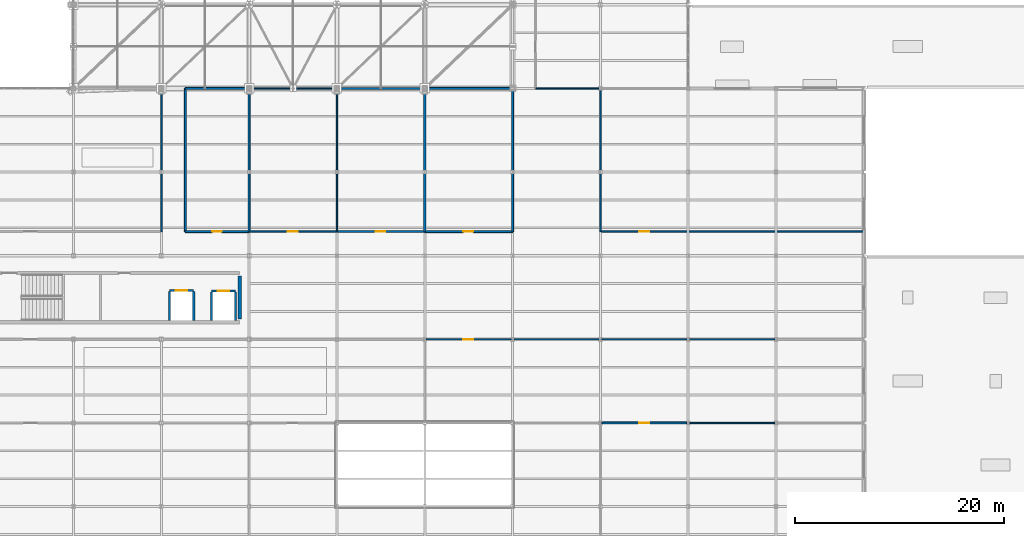
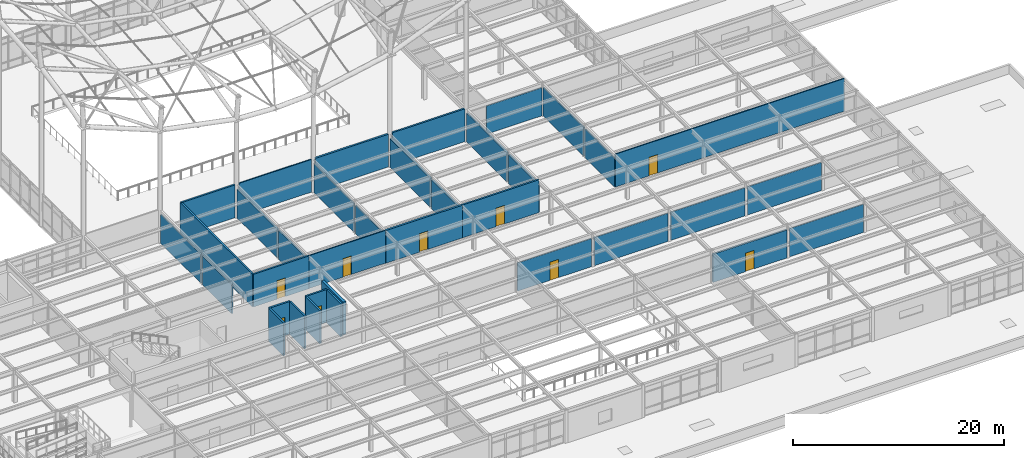
# One storey, part 72 of 138: 36 walls, 9 doors, 9 openings.
"""IFC4 building model written with IfcOpenShell, lengths in metres."""

import ifcopenshell
import ifcopenshell.guid

model = None  # the IFC model being written
_history = None  # IfcOwnerHistory: only IFC2X3 demands one
_inside = {}  # id of a spatial element -> (the spatial element, [elements in it])
_under = {}  # id of a project, library or spatial element -> (it, [spatial elements below it])
_declared = {}  # id of a project -> (the project, [libraries it declares])
_typed = {}  # id of a type object -> (the type object, [elements of that type])
_made_of = {}  # id of a material, layer set ... -> (it, [elements and type objects made of it])


def new_model(schema):
    """Start an empty IFC model of exactly this schema.

    Asked for "IFC4X3", IfcOpenShell would pick the latest addendum, in which some entities
    have other attributes; the version numbers below select the first issue.
    IFC2X3 requires an IfcOwnerHistory on every rooted entity: one is made here for all.
    """
    global model, _history
    if schema == "IFC4X3":
        model = ifcopenshell.file(schema_version=(4, 3, 0, 0))
    else:
        model = ifcopenshell.file(schema=schema)
    _inside.clear()
    _under.clear()
    _declared.clear()
    _typed.clear()
    _made_of.clear()
    _history = None
    if model.schema == "IFC2X3":
        org = make("IfcOrganization", Name="unknown")
        user = make(
            "IfcPersonAndOrganization",
            ThePerson=make("IfcPerson", FamilyName="unknown"),
            TheOrganization=org,
        )
        app = make(
            "IfcApplication",
            ApplicationDeveloper=org,
            Version="unknown",
            ApplicationFullName="unknown",
            ApplicationIdentifier="unknown",
        )
        _history = make(
            "IfcOwnerHistory",
            OwningUser=user,
            OwningApplication=app,
            ChangeAction="ADDED",
            CreationDate=0,
        )
    return model


def make(cls, **values):
    """One entity of the class cls with the attributes given. An attribute that is None is left unset."""
    return model.create_entity(
        cls, **{name: value for name, value in values.items() if value is not None}
    )


def rooted(cls, **values):
    """An entity with a GlobalId (a new one), such as an element, a storey or a relation."""
    return make(cls, GlobalId=ifcopenshell.guid.new(), OwnerHistory=_history, **values)


def si_unit(unit_type, name, prefix=None):
    """IfcSIUnit, for example si_unit("LENGTHUNIT", "METRE", prefix="MILLI")."""
    return make("IfcSIUnit", UnitType=unit_type, Prefix=prefix, Name=name)


def assignment(units):
    """IfcUnitAssignment: the units of a project."""
    return None if units is None else make("IfcUnitAssignment", Units=units)


def point(xyz):
    """IfcCartesianPoint."""
    return None if xyz is None else make("IfcCartesianPoint", Coordinates=xyz)


def direction(xyz):
    """IfcDirection."""
    return None if xyz is None else make("IfcDirection", DirectionRatios=xyz)


def frame(location, z_axis=None, x_axis=None):
    """IfcAxis2Placement3D, a coordinate frame: its origin and axes. An axis left out is left unset."""
    return make(
        "IfcAxis2Placement3D",
        Location=point(location),
        Axis=direction(z_axis),
        RefDirection=direction(x_axis),
    )


def frame_2d(location, x_axis=None):
    """IfcAxis2Placement2D, a coordinate frame in the plane: its origin and x axis."""
    return make(
        "IfcAxis2Placement2D", Location=point(location), RefDirection=direction(x_axis)
    )


def origin():
    """The frame at (0, 0, 0) with its axes left unset."""
    return frame((0.0, 0.0, 0.0))


def place(relative_to, where):
    """IfcLocalPlacement: puts the frame where relative to a parent placement (None: the world)."""
    return make(
        "IfcLocalPlacement", PlacementRelTo=relative_to, RelativePlacement=where
    )


def context(
    kind, dimensions, precision=None, world=None, true_north=None, identifier=None
):
    """IfcGeometricRepresentationContext, for example the 3D "Model" context."""
    return make(
        "IfcGeometricRepresentationContext",
        ContextIdentifier=identifier,
        ContextType=kind,
        CoordinateSpaceDimension=dimensions,
        Precision=precision,
        WorldCoordinateSystem=world,
        TrueNorth=true_north,
    )


def subcontext(parent, identifier, kind, view, scale=None):
    """IfcGeometricRepresentationSubContext, for example "Body" below "Model"."""
    return make(
        "IfcGeometricRepresentationSubContext",
        ContextIdentifier=identifier,
        ContextType=kind,
        ParentContext=parent,
        TargetScale=scale,
        TargetView=view,
    )


def project(units=None, contexts=None):
    """IfcProject with its units and contexts."""
    return rooted(
        "IfcProject",
        Name="project",
        RepresentationContexts=contexts,
        UnitsInContext=assignment(units),
    )


def spatial(cls, under=None, at=None, **own):
    """A site, building, storey or space (cls), placed at a placement, below another one or the project."""
    s = rooted(cls, ObjectPlacement=at, **own)
    if under is not None:
        _under.setdefault(under.id(), (under, []))[1].append(s)
    return s


def profile(cls, at=None, kind="AREA", **sizes):
    """A parametric profile (cls). Its sizes go by their IFC names, for example OverallWidth=200.0."""
    return make(cls, ProfileType=kind, Position=at, **sizes)


def rectangle(**sizes):
    """IfcRectangleProfileDef."""
    return profile("IfcRectangleProfileDef", **sizes)


def extrude(swept, where, along, depth):
    """IfcExtrudedAreaSolid: the profile swept, set in the frame where, extruded along a direction by depth."""
    return make(
        "IfcExtrudedAreaSolid",
        SweptArea=swept,
        Position=where,
        ExtrudedDirection=direction(along),
        Depth=depth,
    )


def shape(context_of_items, identifier, shape_type, items):
    """IfcShapeRepresentation: the items that make up one representation, for example the "Body"."""
    return make(
        "IfcShapeRepresentation",
        ContextOfItems=context_of_items,
        RepresentationIdentifier=identifier,
        RepresentationType=shape_type,
        Items=items,
    )


def material(Name=None, Category=None):
    """IfcMaterial."""
    return make("IfcMaterial", Name=Name, Category=Category)


def layer(
    of_material, thickness, ventilated=None, Name=None, Category=None, Priority=None
):
    """IfcMaterialLayer: one layer of a wall or slab, of a material (None: an air gap)."""
    return make(
        "IfcMaterialLayer",
        Material=of_material,
        LayerThickness=thickness,
        IsVentilated=ventilated,
        Name=Name,
        Category=Category,
        Priority=Priority,
    )


def layer_set(layers, Name=None):
    """IfcMaterialLayerSet."""
    return make("IfcMaterialLayerSet", MaterialLayers=layers, LayerSetName=Name)


def made_of(thing, what):
    """Note that an element or type object is made of a material, layer set ...; save() writes the relation."""
    if what is not None:
        _made_of.setdefault(what.id(), (what, []))[1].append(thing)
    return thing


def type_object(cls, material=None, **own):
    """A type object (cls), such as IfcWallType, which elements share."""
    return made_of(rooted(cls, **own), material)


def element(
    cls,
    number,
    at=None,
    inside=None,
    cuts=None,
    type_object=None,
    material=None,
    context=None,
    identifier="Body",
    shape_type=None,
    held_by="IfcProductDefinitionShape",
    body=None,
    shapes=None,
    **own,
):
    """One element of the class cls, such as IfcWall. Its Tag is "e" and its number.

    at: its placement. inside: the storey or other place that contains it. cuts: it is an
    opening in that element (IfcRelVoidsElement). A single representation is given by context,
    identifier, shape_type and body (its items); several are given by shapes. held_by: the class
    of the entity that holds the representations. save() writes the other relations.
    """
    e = rooted(cls, Tag="e%d" % number, ObjectPlacement=at, **own)
    if body is not None:
        shapes = [shape(context, identifier, shape_type, body)]
    if shapes is not None:
        e.Representation = make(held_by, Representations=shapes)
    if inside is not None:
        _inside.setdefault(inside.id(), (inside, []))[1].append(e)
    if cuts is not None:
        rooted(
            "IfcRelVoidsElement", RelatingBuildingElement=cuts, RelatedOpeningElement=e
        )
    if type_object is not None:
        _typed.setdefault(type_object.id(), (type_object, []))[1].append(e)
    return made_of(e, material)


def fill(opening, filler):
    """IfcRelFillsElement: the door or window that sits in an opening."""
    return rooted(
        "IfcRelFillsElement",
        RelatingOpeningElement=opening,
        RelatedBuildingElement=filler,
    )


def aggregate(whole, parts):
    """IfcRelAggregates: a whole, such as a stair, and the parts it consists of."""
    return rooted("IfcRelAggregates", RelatingObject=whole, RelatedObjects=parts)


def save(model, path):
    """Write the relations noted so far, then the file.

    IfcRelAggregates (storeys below a building ...), IfcRelContainedInSpatialStructure (elements
    in a storey), IfcRelDefinesByType, IfcRelAssociatesMaterial and IfcRelDeclares: one each for
    every whole, place, type object, material and project.
    """
    for whole, parts in _under.values():
        aggregate(whole, parts)
    for where, things in _inside.values():
        rooted(
            "IfcRelContainedInSpatialStructure",
            RelatedElements=things,
            RelatingStructure=where,
        )
    for kind, things in _typed.values():
        rooted("IfcRelDefinesByType", RelatedObjects=things, RelatingType=kind)
    for what, things in _made_of.values():
        rooted("IfcRelAssociatesMaterial", RelatedObjects=things, RelatingMaterial=what)
    for by, libraries in _declared.values():
        rooted("IfcRelDeclares", RelatingContext=by, RelatedDefinitions=libraries)
    model.write(path)


model = new_model("IFC4")

# Units and contexts
model_context = context("Model", 3, precision=1e-05, world=origin(), true_north=direction((0.0, 1.0)))
body_context = subcontext(model_context, "Body", "Model", "MODEL_VIEW")
ifc_project = project(units=[si_unit("LENGTHUNIT", "METRE"), si_unit("AREAUNIT", "SQUARE_METRE"), si_unit("VOLUMEUNIT", "CUBIC_METRE"), si_unit("PLANEANGLEUNIT", "RADIAN"), si_unit("MASSUNIT", "GRAM", prefix="KILO")], contexts=[model_context])

# Site, building, storey
site_placement = place(None, origin())
site = spatial("IfcSite", under=ifc_project, at=site_placement, CompositionType="ELEMENT")
building_placement = place(site_placement, origin())
building = spatial("IfcBuilding", under=site, at=building_placement, Name="Kranzveld Transit Interchange", CompositionType="ELEMENT")
storey_placement = place(building_placement, frame((0.0, 0.0, 5.43994140625)))
storey = spatial("IfcBuildingStorey", under=building, at=storey_placement, Name="L01", CompositionType="ELEMENT", Elevation=5.43994140625)

# Walls
ifc_material_1 = material(Name="Clay masonry unit wall, 20 MPa", Category="masonry")
ifc_layer_1 = layer(ifc_material_1, 0.139892578125)
ifc_layer_set_1 = layer_set([ifc_layer_1], Name="Clay masonry unit wall, 20 MPa")
wall_type_1 = type_object("IfcWallType", Name="Acoustic Stud Partition 140", PredefinedType="PARTITIONING", material=ifc_layer_set_1)
wall_1_placement = place(storey_placement, frame((67.199951171875, 42.300048828125, 0.0), z_axis=(0.0, 0.0, 1.0), x_axis=(0.0, 1.0, 0.0)))
element("IfcWall", 1, at=wall_1_placement, inside=storey, type_object=wall_type_1, Name="L01 Partition IW-L01-L01V1W-E-104-0", PredefinedType="PARTITIONING", context=body_context, shape_type="SweptSolid", body=[
    extrude(rectangle(XDim=5.549560546875, YDim=0.139892578125, at=frame_2d((2.77490234375, 0.0))), origin(), (0.0, 0.0, 1.0), 3.336669921875),
])
wall_2_placement = place(storey_placement, frame((67.199951171875, 48.150390625, 0.0), z_axis=(0.0, 0.0, 1.0), x_axis=(0.0, 1.0, 0.0)))
element("IfcWall", 2, at=wall_2_placement, inside=storey, type_object=wall_type_1, Name="L01 Partition IW-L01-L01V1W-E-104-1", PredefinedType="PARTITIONING", context=body_context, shape_type="SweptSolid", body=[
    extrude(rectangle(XDim=7.631103515625, YDim=0.139892578125, at=frame_2d((3.8154296875, 0.0))), origin(), (0.0, 0.0, 1.0), 3.336669921875),
])
ifc_material_2 = material(Name="Concrete C40/50", Category="concrete")
ifc_layer_2 = layer(ifc_material_2, 0.300048828125)
ifc_layer_set_2 = layer_set([ifc_layer_2], Name="Concrete C40/50")
wall_type_2 = type_object("IfcWallType", Name="Core Shear Wall RC 300 C40/50", PredefinedType="SHEAR", material=ifc_layer_set_2)
wall_3_placement = place(storey_placement, frame((74.699951171875, 33.93994140625, 0.0), z_axis=(0.0, 0.0, 1.0), x_axis=(0.0, 1.0, 0.0)))
element("IfcWall", 3, at=wall_3_placement, inside=storey, type_object=wall_type_2, Name="L01 Metro East & Bus Mezzanine Core C6 Shear Wall E", PredefinedType="SHEAR", context=body_context, shape_type="SweptSolid", body=[
    extrude(rectangle(XDim=4.1201171875, YDim=0.300048828125, at=frame_2d((2.06005859375, 0.0))), origin(), (0.0, 0.0, 1.0), 3.800048828125),
])

# Wall, opening, door
ifc_material_3 = material(Name="Clay masonry unit wall, 20 MPa", Category="masonry")
ifc_layer_3 = layer(ifc_material_3, 0.125)
ifc_layer_set_3 = layer_set([ifc_layer_3], Name="Clay masonry unit wall, 20 MPa")
wall_type_3 = type_object("IfcWallType", Name="Internal Blockwork Partition 125", PredefinedType="PARTITIONING", material=ifc_layer_set_3)
wall_4_placement = place(storey_placement, frame((75.60009765625, 42.300048828125, 0.0), z_axis=(0.0, 0.0, 1.0), x_axis=(1.0, 0.0, 0.0)))
wall_4 = element("IfcWall", 4, at=wall_4_placement, inside=storey, type_object=wall_type_3, Name="L01 Partition IW-L01-L01V1M-FRT-137-0", PredefinedType="PARTITIONING", context=body_context, shape_type="SweptSolid", body=[
    extrude(rectangle(XDim=8.39990234375, YDim=0.125, at=frame_2d((4.199951171875, 0.0))), origin(), (0.0, 0.0, 1.0), 3.800048828125),
])
opening_1_placement = place(wall_4_placement, frame((3.699951171875, 0.0, 0.0), z_axis=(0.0, 0.0, 1.0), x_axis=(1.0, 0.0, 0.0)))
opening_1 = element("IfcOpeningElement", 5, at=opening_1_placement, cuts=wall_4, Name="Opening D-137", PredefinedType="OPENING", context=body_context, shape_type="SweptSolid", body=[
    extrude(rectangle(XDim=0.949951171875, YDim=2.14990234375, at=frame_2d((0.47509765625, 1.074951171875))), frame((0.0, 0.072509765625, 0.0), z_axis=(0.0, -1.0, 0.0), x_axis=(1.0, 0.0, 0.0)), (0.0, 0.0, 1.0), 0.14501953125),
])
ifc_material_4 = material(Name="Bronze-anodised thermally broken aluminium", Category="aluminium")
door_type_1 = type_object("IfcDoorType", Name="Internal Office Door 950x2150", OperationType="NOTDEFINED", PredefinedType="DOOR", material=ifc_material_4)
door_1_placement = place(opening_1_placement, origin())
door_1 = element("IfcDoor", 6, at=door_1_placement, inside=storey, type_object=door_type_1, Name="L01 Interior Door D-137", OperationType="SINGLE_SWING_LEFT", OverallHeight=2.14990234375, OverallWidth=0.949951171875, PredefinedType="DOOR", context=body_context, shape_type="SweptSolid", body=[
    extrude(rectangle(XDim=0.949951171875, YDim=2.14990234375, at=frame_2d((0.47509765625, 1.074951171875))), frame((0.0, 0.02490234375, 0.0), z_axis=(0.0, -1.0, 0.0), x_axis=(1.0, 0.0, 0.0)), (0.0, 0.0, 1.0), 0.050048828125),
])
fill(opening_1, door_1)

wall_5_placement = place(storey_placement, frame((109.199951171875, 42.300048828125, 0.0), z_axis=(0.0, 0.0, 1.0), x_axis=(1.0, 0.0, 0.0)))
wall_5 = element("IfcWall", 7, at=wall_5_placement, inside=storey, type_object=wall_type_3, Name="L01 Partition IW-L01-L01V1E-FRT-107-0", PredefinedType="PARTITIONING", context=body_context, shape_type="SweptSolid", body=[
    extrude(rectangle(XDim=25.16015625, YDim=0.125, at=frame_2d((12.580078125, 0.0))), origin(), (0.0, 0.0, 1.0), 3.800048828125),
])
opening_2_placement = place(wall_5_placement, frame((3.699951171875, 0.0, 0.0), z_axis=(0.0, 0.0, 1.0), x_axis=(1.0, 0.0, 0.0)))
opening_2 = element("IfcOpeningElement", 8, at=opening_2_placement, cuts=wall_5, Name="Opening D-107", PredefinedType="OPENING", context=body_context, shape_type="SweptSolid", body=[
    extrude(rectangle(XDim=0.949951171875, YDim=2.14990234375, at=frame_2d((0.47509765625, 1.074951171875))), frame((0.0, 0.072509765625, 0.0), z_axis=(0.0, -1.0, 0.0), x_axis=(1.0, 0.0, 0.0)), (0.0, 0.0, 1.0), 0.14501953125),
])
door_2_placement = place(opening_2_placement, origin())
door_2 = element("IfcDoor", 9, at=door_2_placement, inside=storey, type_object=door_type_1, Name="L01 Interior Door D-107", OperationType="SINGLE_SWING_LEFT", OverallHeight=2.14990234375, OverallWidth=0.949951171875, PredefinedType="DOOR", context=body_context, shape_type="SweptSolid", body=[
    extrude(rectangle(XDim=0.949951171875, YDim=2.14990234375, at=frame_2d((0.47509765625, 1.074951171875))), frame((0.0, 0.02490234375, 0.0), z_axis=(0.0, -1.0, 0.0), x_axis=(1.0, 0.0, 0.0)), (0.0, 0.0, 1.0), 0.050048828125),
])
fill(opening_2, door_2)

# Walls
wall_6_placement = place(storey_placement, frame((75.818603515625, 56.0, 0.0), z_axis=(0.0, 0.0, 1.0), x_axis=(1.0, 0.0, 0.0)))
element("IfcWall", 10, at=wall_6_placement, inside=storey, type_object=wall_type_3, Name="L01 Partition IW-L01-L01V1M-BCK-137-0", PredefinedType="PARTITIONING", context=body_context, shape_type="SweptSolid", body=[
    extrude(rectangle(XDim=7.962890625, YDim=0.125, at=frame_2d((3.9814453125, 0.0))), origin(), (0.0, 0.0, 1.0), 3.800048828125),
])
wall_7_placement = place(storey_placement, frame((84.0, 42.300048828125, 0.0), z_axis=(0.0, 0.0, 1.0), x_axis=(0.0, 1.0, 0.0)))
element("IfcWall", 11, at=wall_7_placement, inside=storey, type_object=wall_type_3, Name="L01 Partition IW-L01-L01V1M-E-137-0", PredefinedType="PARTITIONING", context=body_context, shape_type="SweptSolid", body=[
    extrude(rectangle(XDim=5.549560546875, YDim=0.125, at=frame_2d((2.77490234375, 0.0))), origin(), (0.0, 0.0, 1.0), 3.336669921875),
])
wall_8_placement = place(storey_placement, frame((84.0, 48.150390625, 0.0), z_axis=(0.0, 0.0, 1.0), x_axis=(0.0, 1.0, 0.0)))
element("IfcWall", 12, at=wall_8_placement, inside=storey, type_object=wall_type_3, Name="L01 Partition IW-L01-L01V1M-E-137-1", PredefinedType="PARTITIONING", context=body_context, shape_type="SweptSolid", body=[
    extrude(rectangle(XDim=7.631103515625, YDim=0.125, at=frame_2d((3.8154296875, 0.0))), origin(), (0.0, 0.0, 1.0), 3.336669921875),
])
wall_9_placement = place(storey_placement, frame((109.199951171875, 42.300048828125, 0.0), z_axis=(0.0, 0.0, 1.0), x_axis=(0.0, 1.0, 0.0)))
element("IfcWall", 13, at=wall_9_placement, inside=storey, type_object=wall_type_3, Name="L01 Partition IW-L01-L01V1E-W-107-0", PredefinedType="PARTITIONING", context=body_context, shape_type="SweptSolid", body=[
    extrude(rectangle(XDim=5.549560546875, YDim=0.125, at=frame_2d((2.77490234375, 0.0))), origin(), (0.0, 0.0, 1.0), 3.336669921875),
])
wall_10_placement = place(storey_placement, frame((109.199951171875, 48.150390625, 0.0), z_axis=(0.0, 0.0, 1.0), x_axis=(0.0, 1.0, 0.0)))
element("IfcWall", 14, at=wall_10_placement, inside=storey, type_object=wall_type_3, Name="L01 Partition IW-L01-L01V1E-W-107-1", PredefinedType="PARTITIONING", context=body_context, shape_type="SweptSolid", body=[
    extrude(rectangle(XDim=7.69921875, YDim=0.125, at=frame_2d((3.849609375, 0.0))), origin(), (0.0, 0.0, 1.0), 3.336669921875),
])
wall_11_placement = place(storey_placement, frame((103.0, 56.0, 0.0), z_axis=(0.0, 0.0, 1.0), x_axis=(1.0, 0.0, 0.0)))
element("IfcWall", 15, at=wall_11_placement, inside=storey, type_object=wall_type_3, Name="L01 Partition IW-L01-L01V4W-S-141-0", PredefinedType="PARTITIONING", context=body_context, shape_type="SweptSolid", body=[
    extrude(rectangle(XDim=6.055419921875, YDim=0.125, at=frame_2d((3.02783203125, 0.0))), origin(), (0.0, 0.0, 1.0), 3.260498046875),
])

# Wall, opening, door
ifc_material_5 = material(Name="Clay masonry unit wall, 20 MPa", Category="masonry")
ifc_layer_4 = layer(ifc_material_5, 0.114990234375)
ifc_layer_set_4 = layer_set([ifc_layer_4], Name="Clay masonry unit wall, 20 MPa")
wall_type_4 = type_object("IfcWallType", Name="Internal Masonry Partition 115", PredefinedType="PARTITIONING", material=ifc_layer_set_4)
wall_12_placement = place(storey_placement, frame((92.544677734375, 32.0, 0.0), z_axis=(0.0, 0.0, 1.0), x_axis=(1.0, 0.0, 0.0)))
wall_12 = element("IfcWall", 16, at=wall_12_placement, inside=storey, type_object=wall_type_4, Name="L01 Partition IW-L01-L01V2N-FRT-132-0", PredefinedType="PARTITIONING", context=body_context, shape_type="SweptSolid", body=[
    extrude(rectangle(XDim=8.11083984375, YDim=0.114990234375, at=frame_2d((4.055419921875, 0.0))), origin(), (0.0, 0.0, 1.0), 3.260498046875),
])
opening_3_placement = place(wall_12_placement, frame((4.475341796875, 0.0, 0.0), z_axis=(0.0, 0.0, 1.0), x_axis=(-1.0, 0.0, 0.0)))
opening_3 = element("IfcOpeningElement", 17, at=opening_3_placement, cuts=wall_12, Name="Opening D-132", PredefinedType="OPENING", context=body_context, shape_type="SweptSolid", body=[
    extrude(rectangle(XDim=0.919921875, YDim=2.1201171875, at=frame_2d((0.4599609375, 1.06005859375))), frame((0.0, 0.0673828125, 0.0), z_axis=(0.0, -1.0, 0.0), x_axis=(1.0, 0.0, 0.0)), (0.0, 0.0, 1.0), 0.135009765625),
])
ifc_material_6 = material(Name="Bronze-anodised thermally broken aluminium", Category="aluminium")
door_type_2 = type_object("IfcDoorType", Name="Consulting Room Door 920x2120", OperationType="NOTDEFINED", PredefinedType="DOOR", material=ifc_material_6)
door_3_placement = place(opening_3_placement, origin())
door_3 = element("IfcDoor", 18, at=door_3_placement, inside=storey, type_object=door_type_2, Name="L01 Interior Door D-132", OperationType="SINGLE_SWING_RIGHT", OverallHeight=2.1201171875, OverallWidth=0.919921875, PredefinedType="DOOR", context=body_context, shape_type="SweptSolid", body=[
    extrude(rectangle(XDim=0.919921875, YDim=2.1201171875, at=frame_2d((0.4599609375, 1.06005859375))), frame((0.0, 0.02490234375, 0.0), z_axis=(0.0, -1.0, 0.0), x_axis=(1.0, 0.0, 0.0)), (0.0, 0.0, 1.0), 0.050048828125),
])
fill(opening_3, door_3)

# Walls
for number, where, z_axis, x_axis, name in (
    (19, (100.944580078125, 32.0, 0.0), (0.0, 0.0, 1.0), (1.0, 0.0, 0.0), "L01 Partition IW-L01-L01V2N-FRT-132-1"),
    (20, (109.344482421875, 32.0, 0.0), (0.0, 0.0, 1.0), (1.0, 0.0, 0.0), "L01 Partition IW-L01-L01V2N-FRT-132-2"),
    (21, (117.74462890625, 32.0, 0.0), (0.0, 0.0, 1.0), (1.0, 0.0, 0.0), "L01 Partition IW-L01-L01V2N-FRT-132-3"),
    (22, (117.74462890625, 24.0, 0.0), (0.0, 0.0, 1.0), (1.0, 0.0, 0.0), "L01 Partition IW-L01-L01V2N-BCK-132-3"),
):
    element("IfcWall", number, at=place(storey_placement, frame(where, z_axis=z_axis, x_axis=x_axis)), inside=storey, type_object=wall_type_4, Name=name, PredefinedType="PARTITIONING", context=body_context, shape_type="SweptSolid", body=[
        extrude(rectangle(XDim=8.11083984375, YDim=0.114990234375, at=frame_2d((4.055419921875, 0.0))), origin(), (0.0, 0.0, 1.0), 3.260498046875),
    ])

# Wall, opening, door
ifc_material_7 = material(Name="Concrete C40/50", Category="concrete")
ifc_layer_5 = layer(ifc_material_7, 0.199951171875)
ifc_layer_set_5 = layer_set([ifc_layer_5], Name="Concrete C40/50")
wall_type_5 = type_object("IfcWallType", Name="Lift Shaft Enclosure Wall RC 200 EI120", PredefinedType="SHEAR", material=ifc_layer_set_5)
wall_13_placement = place(storey_placement, frame((68.0, 36.68994140625, 0.0), z_axis=(0.0, 0.0, 1.0), x_axis=(1.0, 0.0, 0.0)))
wall_13 = element("IfcWall", 23, at=wall_13_placement, inside=storey, type_object=wall_type_5, Name="L01 LF-M2 Shaft Front Wall", PredefinedType="SHEAR", context=body_context, shape_type="SweptSolid", body=[
    extrude(rectangle(XDim=2.300048828125, YDim=0.199951171875, at=frame_2d((1.14990234375, 0.0))), origin(), (0.0, 0.0, 1.0), 3.800048828125),
])
opening_4_placement = place(wall_13_placement, frame((0.60009765625, 0.0, 0.0), z_axis=(0.0, 0.0, 1.0), x_axis=(1.0, 0.0, 0.0)))
opening_4 = element("IfcOpeningElement", 24, at=opening_4_placement, cuts=wall_13, Name="Opening LD-LF-M2-L01", PredefinedType="OPENING", context=body_context, shape_type="SweptSolid", body=[
    extrude(rectangle(XDim=1.10009765625, YDim=2.14990234375, at=frame_2d((0.550048828125, 1.074951171875))), frame((0.0, 0.10986328125, 0.0), z_axis=(0.0, -1.0, 0.0), x_axis=(1.0, 0.0, 0.0)), (0.0, 0.0, 1.0), 0.219970703125),
])
ifc_material_8 = material(Name="Steel S355JR", Category="steel")
door_type_3 = type_object("IfcDoorType", Name="Lift Landing Sliding Door 1100x2150 FD120S", OperationType="NOTDEFINED", PredefinedType="DOOR", material=ifc_material_8)
door_4_placement = place(opening_4_placement, origin())
door_4 = element("IfcDoor", 25, at=door_4_placement, inside=storey, type_object=door_type_3, Name="L01 LF-M2 Sliding Landing Door", OperationType="DOUBLE_DOOR_SLIDING", OverallHeight=2.14990234375, OverallWidth=1.10009765625, PredefinedType="DOOR", context=body_context, shape_type="SweptSolid", body=[
    extrude(rectangle(XDim=1.10009765625, YDim=2.14990234375, at=frame_2d((0.550048828125, 1.074951171875))), frame((0.0, 0.02490234375, 0.0), z_axis=(0.0, -1.0, 0.0), x_axis=(1.0, 0.0, 0.0)), (0.0, 0.0, 1.0), 0.050048828125),
])
fill(opening_4, door_4)

# Walls
for number, where, z_axis, x_axis, name in (
    (26, (68.0, 33.7900390625, 0.0), (0.0, 0.0, 1.0), (0.0, 1.0, 0.0), "L01 LF-M2 Shaft Side Wall W"),
    (27, (70.300048828125, 33.7900390625, 0.0), (0.0, 0.0, 1.0), (0.0, 1.0, 0.0), "L01 LF-M2 Shaft Side Wall E"),
):
    element("IfcWall", number, at=place(storey_placement, frame(where, z_axis=z_axis, x_axis=x_axis)), inside=storey, type_object=wall_type_5, Name=name, PredefinedType="SHEAR", context=body_context, shape_type="SweptSolid", body=[
        extrude(rectangle(XDim=2.800048828125, YDim=0.199951171875, at=frame_2d((1.39990234375, 0.0))), origin(), (0.0, 0.0, 1.0), 3.800048828125),
    ])

# Wall, opening, door
wall_14_placement = place(storey_placement, frame((72.0, 36.639892578125, 0.0), z_axis=(0.0, 0.0, 1.0), x_axis=(1.0, 0.0, 0.0)))
wall_14 = element("IfcWall", 28, at=wall_14_placement, inside=storey, type_object=wall_type_5, Name="L01 LF-B1 Shaft Front Wall", PredefinedType="SHEAR", context=body_context, shape_type="SweptSolid", body=[
    extrude(rectangle(XDim=2.300048828125, YDim=0.199951171875, at=frame_2d((1.14990234375, 0.0))), origin(), (0.0, 0.0, 1.0), 3.800048828125),
])
opening_5_placement = place(wall_14_placement, frame((0.60009765625, 0.0, 0.0), z_axis=(0.0, 0.0, 1.0), x_axis=(1.0, 0.0, 0.0)))
opening_5 = element("IfcOpeningElement", 29, at=opening_5_placement, cuts=wall_14, Name="Opening LD-LF-B1-L01", PredefinedType="OPENING", context=body_context, shape_type="SweptSolid", body=[
    extrude(rectangle(XDim=1.10009765625, YDim=2.14990234375, at=frame_2d((0.550048828125, 1.074951171875))), frame((0.0, 0.10986328125, 0.0), z_axis=(0.0, -1.0, 0.0), x_axis=(1.0, 0.0, 0.0)), (0.0, 0.0, 1.0), 0.219970703125),
])
door_5_placement = place(opening_5_placement, origin())
door_5 = element("IfcDoor", 30, at=door_5_placement, inside=storey, type_object=door_type_3, Name="L01 LF-B1 Sliding Landing Door", OperationType="DOUBLE_DOOR_SLIDING", OverallHeight=2.14990234375, OverallWidth=1.10009765625, PredefinedType="DOOR", context=body_context, shape_type="SweptSolid", body=[
    extrude(rectangle(XDim=1.10009765625, YDim=2.14990234375, at=frame_2d((0.550048828125, 1.074951171875))), frame((0.0, 0.02490234375, 0.0), z_axis=(0.0, -1.0, 0.0), x_axis=(1.0, 0.0, 0.0)), (0.0, 0.0, 1.0), 0.050048828125),
])
fill(opening_5, door_5)

# Walls
for number, where, z_axis, x_axis, name in (
    (31, (72.0, 33.7900390625, 0.0), (0.0, 0.0, 1.0), (0.0, 1.0, 0.0), "L01 LF-B1 Shaft Side Wall W"),
    (32, (74.300048828125, 33.7900390625, 0.0), (0.0, 0.0, 1.0), (0.0, 1.0, 0.0), "L01 LF-B1 Shaft Side Wall E"),
):
    element("IfcWall", number, at=place(storey_placement, frame(where, z_axis=z_axis, x_axis=x_axis)), inside=storey, type_object=wall_type_5, Name=name, PredefinedType="SHEAR", context=body_context, shape_type="SweptSolid", body=[
        extrude(rectangle(XDim=2.75, YDim=0.199951171875, at=frame_2d((1.375, 0.0))), origin(), (0.0, 0.0, 1.0), 3.800048828125),
    ])

# Wall, opening, door
ifc_material_9 = material(Name="Clay masonry unit wall, 20 MPa", Category="masonry")
ifc_layer_6 = layer(ifc_material_9, 0.18994140625)
ifc_layer_set_6 = layer_set([ifc_layer_6], Name="Clay masonry unit wall, 20 MPa")
wall_type_6 = type_object("IfcWallType", Name="Sanitary Plumbing Wall 190", PredefinedType="PLUMBINGWALL", material=ifc_layer_set_6)
wall_15_placement = place(storey_placement, frame((69.5, 42.300048828125, 0.0), z_axis=(0.0, 0.0, 1.0), x_axis=(1.0, 0.0, 0.0)))
wall_15 = element("IfcWall", 33, at=wall_15_placement, inside=storey, type_object=wall_type_6, Name="L01 Partition IW-L01-L01V1-FRT-105-0", PredefinedType="PLUMBINGWALL", context=body_context, shape_type="SweptSolid", body=[
    extrude(rectangle(XDim=6.10009765625, YDim=0.18994140625, at=frame_2d((3.050048828125, 0.0))), origin(), (0.0, 0.0, 1.0), 3.800048828125),
])
opening_6_placement = place(wall_15_placement, frame((2.550048828125, 0.0, 0.0), z_axis=(0.0, 0.0, 1.0), x_axis=(1.0, 0.0, 0.0)))
opening_6 = element("IfcOpeningElement", 34, at=opening_6_placement, cuts=wall_15, Name="Opening D-105", PredefinedType="OPENING", context=body_context, shape_type="SweptSolid", body=[
    extrude(rectangle(XDim=0.949951171875, YDim=2.14990234375, at=frame_2d((0.47509765625, 1.074951171875))), frame((0.0, 0.10498046875, 0.0), z_axis=(0.0, -1.0, 0.0), x_axis=(1.0, 0.0, 0.0)), (0.0, 0.0, 1.0), 0.2099609375),
])
ifc_material_10 = material(Name="Bronze-anodised thermally broken aluminium", Category="aluminium")
door_type_4 = type_object("IfcDoorType", Name="Accessible WC Door 950x2150", OperationType="NOTDEFINED", PredefinedType="DOOR", material=ifc_material_10)
door_6_placement = place(opening_6_placement, origin())
door_6 = element("IfcDoor", 35, at=door_6_placement, inside=storey, type_object=door_type_4, Name="L01 Interior Door D-105", OperationType="SINGLE_SWING_LEFT", OverallHeight=2.14990234375, OverallWidth=0.949951171875, PredefinedType="DOOR", context=body_context, shape_type="SweptSolid", body=[
    extrude(rectangle(XDim=0.949951171875, YDim=2.14990234375, at=frame_2d((0.47509765625, 1.074951171875))), frame((0.0, 0.02490234375, 0.0), z_axis=(0.0, -1.0, 0.0), x_axis=(1.0, 0.0, 0.0)), (0.0, 0.0, 1.0), 0.050048828125),
])
fill(opening_6, door_6)

wall_16_placement = place(storey_placement, frame((92.39990234375, 42.300048828125, 0.0), z_axis=(0.0, 0.0, 1.0), x_axis=(1.0, 0.0, 0.0)))
wall_16 = element("IfcWall", 36, at=wall_16_placement, inside=storey, type_object=wall_type_6, Name="L01 Partition IW-L01-L01V1M-FRT-139-0", PredefinedType="PLUMBINGWALL", context=body_context, shape_type="SweptSolid", body=[
    extrude(rectangle(XDim=8.400146484375, YDim=0.18994140625, at=frame_2d((4.2001953125, 0.0))), origin(), (0.0, 0.0, 1.0), 3.800048828125),
])
opening_7_placement = place(wall_16_placement, frame((3.699951171875, 0.0, 0.0), z_axis=(0.0, 0.0, 1.0), x_axis=(1.0, 0.0, 0.0)))
opening_7 = element("IfcOpeningElement", 37, at=opening_7_placement, cuts=wall_16, Name="Opening D-139", PredefinedType="OPENING", context=body_context, shape_type="SweptSolid", body=[
    extrude(rectangle(XDim=0.949951171875, YDim=2.14990234375, at=frame_2d((0.47509765625, 1.074951171875))), frame((0.0, 0.10498046875, 0.0), z_axis=(0.0, -1.0, 0.0), x_axis=(1.0, 0.0, 0.0)), (0.0, 0.0, 1.0), 0.2099609375),
])
door_7_placement = place(opening_7_placement, origin())
door_7 = element("IfcDoor", 38, at=door_7_placement, inside=storey, type_object=door_type_4, Name="L01 Interior Door D-139", OperationType="SINGLE_SWING_LEFT", OverallHeight=2.14990234375, OverallWidth=0.949951171875, PredefinedType="DOOR", context=body_context, shape_type="SweptSolid", body=[
    extrude(rectangle(XDim=0.949951171875, YDim=2.14990234375, at=frame_2d((0.47509765625, 1.074951171875))), frame((0.0, 0.02490234375, 0.0), z_axis=(0.0, -1.0, 0.0), x_axis=(1.0, 0.0, 0.0)), (0.0, 0.0, 1.0), 0.050048828125),
])
fill(opening_7, door_7)

wall_17_placement = place(storey_placement, frame((109.344482421875, 24.0, 0.0), z_axis=(0.0, 0.0, 1.0), x_axis=(1.0, 0.0, 0.0)))
wall_17 = element("IfcWall", 39, at=wall_17_placement, inside=storey, type_object=wall_type_6, Name="L01 Partition IW-L01-L01V2S-FRT-111-0", PredefinedType="PLUMBINGWALL", context=body_context, shape_type="SweptSolid", body=[
    extrude(rectangle(XDim=8.11083984375, YDim=0.18994140625, at=frame_2d((4.055419921875, 0.0))), origin(), (0.0, 0.0, 1.0), 3.260498046875),
])
opening_8_placement = place(wall_17_placement, frame((4.50537109375, 0.0, 0.0), z_axis=(0.0, 0.0, 1.0), x_axis=(-1.0, 0.0, 0.0)))
opening_8 = element("IfcOpeningElement", 40, at=opening_8_placement, cuts=wall_17, Name="Opening D-111", PredefinedType="OPENING", context=body_context, shape_type="SweptSolid", body=[
    extrude(rectangle(XDim=0.949951171875, YDim=2.14990234375, at=frame_2d((0.47509765625, 1.074951171875))), frame((0.0, 0.10498046875, 0.0), z_axis=(0.0, -1.0, 0.0), x_axis=(1.0, 0.0, 0.0)), (0.0, 0.0, 1.0), 0.2099609375),
])
door_8_placement = place(opening_8_placement, origin())
door_8 = element("IfcDoor", 41, at=door_8_placement, inside=storey, type_object=door_type_4, Name="L01 Interior Door D-111", OperationType="SINGLE_SWING_LEFT", OverallHeight=2.14990234375, OverallWidth=0.949951171875, PredefinedType="DOOR", context=body_context, shape_type="SweptSolid", body=[
    extrude(rectangle(XDim=0.949951171875, YDim=2.14990234375, at=frame_2d((0.47509765625, 1.074951171875))), frame((0.0, 0.02490234375, 0.0), z_axis=(0.0, -1.0, 0.0), x_axis=(1.0, 0.0, 0.0)), (0.0, 0.0, 1.0), 0.050048828125),
])
fill(opening_8, door_8)

# Walls
wall_18_placement = place(storey_placement, frame((69.5, 56.0, 0.0), z_axis=(0.0, 0.0, 1.0), x_axis=(1.0, 0.0, 0.0)))
element("IfcWall", 42, at=wall_18_placement, inside=storey, type_object=wall_type_6, Name="L01 Partition IW-L01-L01V1-BCK-105-0", PredefinedType="PLUMBINGWALL", context=body_context, shape_type="SweptSolid", body=[
    extrude(rectangle(XDim=5.881591796875, YDim=0.18994140625, at=frame_2d((2.94091796875, 0.0))), origin(), (0.0, 0.0, 1.0), 3.800048828125),
])
wall_19_placement = place(storey_placement, frame((69.5, 42.300048828125, 0.0), z_axis=(0.0, 0.0, 1.0), x_axis=(0.0, 1.0, 0.0)))
element("IfcWall", 43, at=wall_19_placement, inside=storey, type_object=wall_type_6, Name="L01 Partition IW-L01-L01V1-W-105-0", PredefinedType="PLUMBINGWALL", context=body_context, shape_type="SweptSolid", body=[
    extrude(rectangle(XDim=13.699951171875, YDim=0.18994140625, at=frame_2d((6.85009765625, 0.0))), origin(), (0.0, 0.0, 1.0), 3.800048828125),
])
wall_20_placement = place(storey_placement, frame((75.60009765625, 42.300048828125, 0.0), z_axis=(0.0, 0.0, 1.0), x_axis=(0.0, 1.0, 0.0)))
element("IfcWall", 44, at=wall_20_placement, inside=storey, type_object=wall_type_6, Name="L01 Partition IW-L01-L01V1-E-105-0", PredefinedType="PLUMBINGWALL", context=body_context, shape_type="SweptSolid", body=[
    extrude(rectangle(XDim=5.549560546875, YDim=0.18994140625, at=frame_2d((2.77490234375, 0.0))), origin(), (0.0, 0.0, 1.0), 3.336669921875),
])
wall_21_placement = place(storey_placement, frame((75.60009765625, 48.150390625, 0.0), z_axis=(0.0, 0.0, 1.0), x_axis=(0.0, 1.0, 0.0)))
element("IfcWall", 45, at=wall_21_placement, inside=storey, type_object=wall_type_6, Name="L01 Partition IW-L01-L01V1-E-105-1", PredefinedType="PLUMBINGWALL", context=body_context, shape_type="SweptSolid", body=[
    extrude(rectangle(XDim=7.631103515625, YDim=0.18994140625, at=frame_2d((3.8154296875, 0.0))), origin(), (0.0, 0.0, 1.0), 3.336669921875),
])
wall_22_placement = place(storey_placement, frame((92.618408203125, 56.0, 0.0), z_axis=(0.0, 0.0, 1.0), x_axis=(1.0, 0.0, 0.0)))
element("IfcWall", 46, at=wall_22_placement, inside=storey, type_object=wall_type_6, Name="L01 Partition IW-L01-L01V1M-BCK-139-0", PredefinedType="PLUMBINGWALL", context=body_context, shape_type="SweptSolid", body=[
    extrude(rectangle(XDim=7.963134765625, YDim=0.18994140625, at=frame_2d((3.9814453125, 0.0))), origin(), (0.0, 0.0, 1.0), 3.800048828125),
])
wall_23_placement = place(storey_placement, frame((100.800048828125, 42.300048828125, 0.0), z_axis=(0.0, 0.0, 1.0), x_axis=(0.0, 1.0, 0.0)))
element("IfcWall", 47, at=wall_23_placement, inside=storey, type_object=wall_type_6, Name="L01 Partition IW-L01-L01V1M-E-139-0", PredefinedType="PLUMBINGWALL", context=body_context, shape_type="SweptSolid", body=[
    extrude(rectangle(XDim=5.549560546875, YDim=0.18994140625, at=frame_2d((2.77490234375, 0.0))), origin(), (0.0, 0.0, 1.0), 3.336669921875),
])
wall_24_placement = place(storey_placement, frame((100.800048828125, 48.150390625, 0.0), z_axis=(0.0, 0.0, 1.0), x_axis=(0.0, 1.0, 0.0)))
element("IfcWall", 48, at=wall_24_placement, inside=storey, type_object=wall_type_6, Name="L01 Partition IW-L01-L01V1M-E-139-1", PredefinedType="PLUMBINGWALL", context=body_context, shape_type="SweptSolid", body=[
    extrude(rectangle(XDim=7.631103515625, YDim=0.18994140625, at=frame_2d((3.8154296875, 0.0))), origin(), (0.0, 0.0, 1.0), 3.336669921875),
])

# Wall, opening, door
ifc_material_11 = material(Name="Clay masonry unit wall, 20 MPa", Category="masonry")
ifc_layer_7 = layer(ifc_material_11, 0.2099609375)
ifc_layer_set_7 = layer_set([ifc_layer_7], Name="Clay masonry unit wall, 20 MPa")
wall_type_7 = type_object("IfcWallType", Name="Service Duct Plumbing Wall 210", PredefinedType="PLUMBINGWALL", material=ifc_layer_set_7)
wall_25_placement = place(storey_placement, frame((84.0, 42.300048828125, 0.0), z_axis=(0.0, 0.0, 1.0), x_axis=(1.0, 0.0, 0.0)))
wall_25 = element("IfcWall", 49, at=wall_25_placement, inside=storey, type_object=wall_type_7, Name="L01 Partition IW-L01-L01V1M-FRT-106-0", PredefinedType="PLUMBINGWALL", context=body_context, shape_type="SweptSolid", body=[
    extrude(rectangle(XDim=8.39990234375, YDim=0.2099609375, at=frame_2d((4.199951171875, 0.0))), origin(), (0.0, 0.0, 1.0), 3.800048828125),
])
opening_9_placement = place(wall_25_placement, frame((3.699951171875, 0.0, 0.0), z_axis=(0.0, 0.0, 1.0), x_axis=(1.0, 0.0, 0.0)))
opening_9 = element("IfcOpeningElement", 50, at=opening_9_placement, cuts=wall_25, Name="Opening D-106", PredefinedType="OPENING", context=body_context, shape_type="SweptSolid", body=[
    extrude(rectangle(XDim=0.89990234375, YDim=2.14990234375, at=frame_2d((0.449951171875, 1.074951171875))), frame((0.0, 0.114990234375, 0.0), z_axis=(0.0, -1.0, 0.0), x_axis=(1.0, 0.0, 0.0)), (0.0, 0.0, 1.0), 0.22998046875),
])
ifc_material_12 = material(Name="Steel S355JR", Category="steel")
door_type_5 = type_object("IfcDoorType", Name="Sanitary Cubicle Lobby Door 900x2150", OperationType="NOTDEFINED", PredefinedType="DOOR", material=ifc_material_12)
door_9_placement = place(opening_9_placement, origin())
door_9 = element("IfcDoor", 51, at=door_9_placement, inside=storey, type_object=door_type_5, Name="L01 Interior Door D-106", OperationType="SINGLE_SWING_RIGHT", OverallHeight=2.14990234375, OverallWidth=0.89990234375, PredefinedType="DOOR", context=body_context, shape_type="SweptSolid", body=[
    extrude(rectangle(XDim=0.89990234375, YDim=2.14990234375, at=frame_2d((0.449951171875, 1.074951171875))), frame((0.0, 0.02490234375, 0.0), z_axis=(0.0, -1.0, 0.0), x_axis=(1.0, 0.0, 0.0)), (0.0, 0.0, 1.0), 0.050048828125),
])
fill(opening_9, door_9)

# Walls
wall_26_placement = place(storey_placement, frame((84.218505859375, 56.0, 0.0), z_axis=(0.0, 0.0, 1.0), x_axis=(1.0, 0.0, 0.0)))
element("IfcWall", 52, at=wall_26_placement, inside=storey, type_object=wall_type_7, Name="L01 Partition IW-L01-L01V1M-BCK-106-0", PredefinedType="PLUMBINGWALL", context=body_context, shape_type="SweptSolid", body=[
    extrude(rectangle(XDim=7.962890625, YDim=0.2099609375, at=frame_2d((3.9814453125, 0.0))), origin(), (0.0, 0.0, 1.0), 3.800048828125),
])
wall_27_placement = place(storey_placement, frame((92.39990234375, 42.300048828125, 0.0), z_axis=(0.0, 0.0, 1.0), x_axis=(0.0, 1.0, 0.0)))
element("IfcWall", 53, at=wall_27_placement, inside=storey, type_object=wall_type_7, Name="L01 Partition IW-L01-L01V1M-E-106-0", PredefinedType="PLUMBINGWALL", context=body_context, shape_type="SweptSolid", body=[
    extrude(rectangle(XDim=5.549560546875, YDim=0.2099609375, at=frame_2d((2.77490234375, 0.0))), origin(), (0.0, 0.0, 1.0), 3.336669921875),
])
wall_28_placement = place(storey_placement, frame((92.39990234375, 48.150390625, 0.0), z_axis=(0.0, 0.0, 1.0), x_axis=(0.0, 1.0, 0.0)))
element("IfcWall", 54, at=wall_28_placement, inside=storey, type_object=wall_type_7, Name="L01 Partition IW-L01-L01V1M-E-106-1", PredefinedType="PLUMBINGWALL", context=body_context, shape_type="SweptSolid", body=[
    extrude(rectangle(XDim=7.631103515625, YDim=0.2099609375, at=frame_2d((3.8154296875, 0.0))), origin(), (0.0, 0.0, 1.0), 3.336669921875),
])

save(model, "model.ifc")
